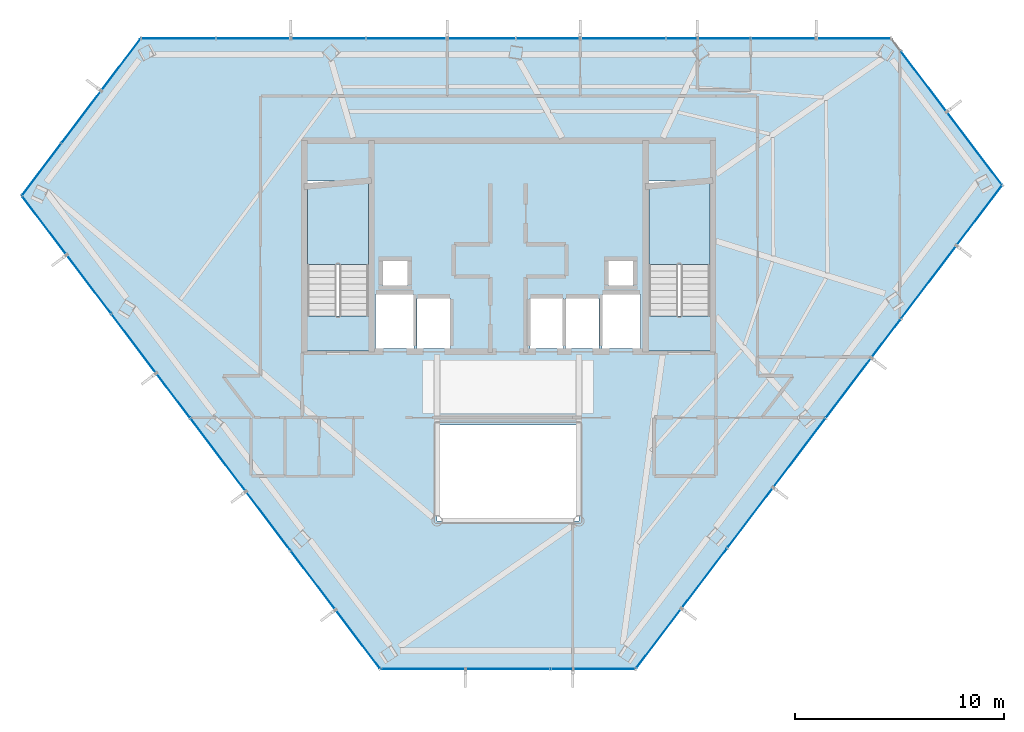
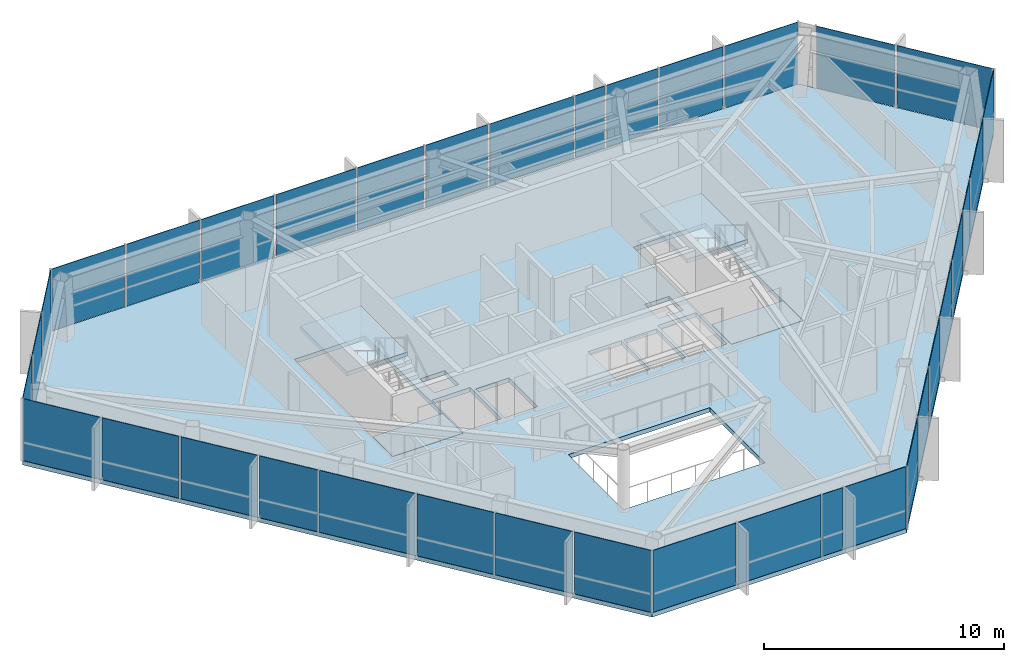
# One storey, part 23 of 27: 36 plates, 5 slabs, 8 elements without a shape of their own.
"""IFC4 building model written with IfcOpenShell, lengths in metres."""

from ifc_helpers import new_model, si_unit, direction, frame, origin, origin_2d, place, context, subcontext, project, spatial, polyline, rectangle, outline, extrude, material, layer, layer_set, type_object, element, aggregate, save


model = new_model("IFC4")

# Units and contexts
model_context = context("Model", 3, precision=1e-05, world=origin(), true_north=direction((0.0, 1.0)))
body_context = subcontext(model_context, "Body", "Model", "MODEL_VIEW")
ifc_project = project(units=[si_unit("LENGTHUNIT", "METRE"), si_unit("AREAUNIT", "SQUARE_METRE"), si_unit("VOLUMEUNIT", "CUBIC_METRE"), si_unit("PLANEANGLEUNIT", "RADIAN"), si_unit("MASSUNIT", "GRAM", prefix="KILO")], contexts=[model_context])

# Site, building, storey
site_placement = place(None, origin())
site = spatial("IfcSite", under=ifc_project, at=site_placement, CompositionType="ELEMENT")
building_placement = place(site_placement, origin())
building = spatial("IfcBuilding", under=site, at=building_placement, Name="Zarrinselat Tower", CompositionType="ELEMENT")
storey_placement = place(building_placement, frame((0.0, 0.0, 225.760009765625)))
storey = spatial("IfcBuildingStorey", under=building, at=storey_placement, Name="L56", CompositionType="ELEMENT", Elevation=225.760009765625)

# Curtain wall, plates
ifc_material_1 = material(Name="Extruded Aluminium Alloy EN AW-6063 T6", Category="aluminium")
ifc_layer_1 = layer(ifc_material_1, 0.169921875)
ifc_layer_set_1 = layer_set([ifc_layer_1], Name="Extruded Aluminium Alloy EN AW-6063 T6")
curtain_wall_type = type_object("IfcCurtainWallType", Name="CWS-RES", PredefinedType="NOTDEFINED", material=ifc_layer_set_1)
curtain_wall_1_placement = place(storey_placement, origin())
curtain_wall_1 = element("IfcCurtainWall", 1, at=curtain_wall_1_placement, inside=storey, type_object=curtain_wall_type, Name="L56 Unitised Curtain Wall CW-L56-E01", PredefinedType="NOTDEFINED")
ifc_material_2 = material(Name="Double Low-E Laminated Solar Glass", Category="glass")
ifc_layer_2 = layer(ifc_material_2, 0.028076171875)
ifc_layer_set_2 = layer_set([ifc_layer_2], Name="Double Low-E Laminated Solar Glass")
plate_type = type_object("IfcPlateType", Name="PLT-CW-GL28", PredefinedType="CURTAIN_PANEL", material=ifc_layer_set_2)
plate_1_placement = place(storey_placement, frame((54.943603515625, 48.29443359375, 0.02001953125), z_axis=(0.0, 0.0, 1.0), x_axis=(-1.0, 0.0, 0.0)))
plate_1 = element("IfcPlate", 2, at=plate_1_placement, type_object=plate_type, Name="CW-L56-E01 Vision Glass Panel 1", PredefinedType="CURTAIN_PANEL", context=body_context, shape_type="SweptSolid", body=[
    extrude(rectangle(XDim=3.491455078125, YDim=0.028076171875, at=origin_2d()), origin(), (0.0, 0.0, 1.0), 3.139892578125),
])
plate_2_placement = place(storey_placement, frame((51.581787109375, 48.29443359375, 0.02001953125), z_axis=(0.0, 0.0, 1.0), x_axis=(-1.0, 0.0, 0.0)))
plate_2 = element("IfcPlate", 3, at=plate_2_placement, type_object=plate_type, Name="CW-L56-E01 Vision Glass Panel 2", PredefinedType="CURTAIN_PANEL", context=body_context, shape_type="SweptSolid", body=[
    extrude(rectangle(XDim=3.03271484375, YDim=0.028076171875, at=origin_2d()), origin(), (0.0, 0.0, 1.0), 3.139892578125),
])
plate_3_placement = place(storey_placement, frame((48.740234375, 48.29443359375, 0.02001953125), z_axis=(0.0, 0.0, 1.0), x_axis=(-1.0, 0.0, 0.0)))
plate_3 = element("IfcPlate", 4, at=plate_3_placement, type_object=plate_type, Name="CW-L56-E01 Vision Glass Panel 3", PredefinedType="CURTAIN_PANEL", context=body_context, shape_type="SweptSolid", body=[
    extrude(rectangle(XDim=2.449951171875, YDim=0.028076171875, at=origin_2d()), origin(), (0.0, 0.0, 1.0), 3.139892578125),
])
plate_4_placement = place(storey_placement, frame((46.71533203125, 48.29443359375, 0.02001953125), z_axis=(0.0, 0.0, 1.0), x_axis=(-1.0, 0.0, 0.0)))
plate_4 = element("IfcPlate", 5, at=plate_4_placement, type_object=plate_type, Name="CW-L56-E01 Vision Glass Panel 4", PredefinedType="CURTAIN_PANEL", context=body_context, shape_type="SweptSolid", body=[
    extrude(rectangle(XDim=1.400146484375, YDim=0.028076171875, at=origin_2d()), origin(), (0.0, 0.0, 1.0), 3.139892578125),
])
plate_5_placement = place(storey_placement, frame((43.910400390625, 48.29443359375, 0.02001953125), z_axis=(0.0, 0.0, 1.0), x_axis=(-1.0, 0.0, 0.0)))
plate_5 = element("IfcPlate", 6, at=plate_5_placement, type_object=plate_type, Name="CW-L56-E01 Vision Glass Panel 5", PredefinedType="CURTAIN_PANEL", context=body_context, shape_type="SweptSolid", body=[
    extrude(rectangle(XDim=4.010009765625, YDim=0.028076171875, at=origin_2d()), origin(), (0.0, 0.0, 1.0), 3.139892578125),
])
plate_6_placement = place(storey_placement, frame((40.31884765625, 48.29443359375, 0.02001953125), z_axis=(0.0, 0.0, 1.0), x_axis=(-1.0, 0.0, 0.0)))
plate_6 = element("IfcPlate", 7, at=plate_6_placement, type_object=plate_type, Name="CW-L56-E01 Vision Glass Panel 6", PredefinedType="CURTAIN_PANEL", context=body_context, shape_type="SweptSolid", body=[
    extrude(rectangle(XDim=2.972900390625, YDim=0.028076171875, at=origin_2d()), origin(), (0.0, 0.0, 1.0), 3.139892578125),
])
plate_7_placement = place(storey_placement, frame((37.14111328125, 48.29443359375, 0.02001953125), z_axis=(0.0, 0.0, 1.0), x_axis=(-1.0, 0.0, 0.0)))
plate_7 = element("IfcPlate", 8, at=plate_7_placement, type_object=plate_type, Name="CW-L56-E01 Vision Glass Panel 7", PredefinedType="CURTAIN_PANEL", context=body_context, shape_type="SweptSolid", body=[
    extrude(rectangle(XDim=3.1826171875, YDim=0.028076171875, at=origin_2d()), origin(), (0.0, 0.0, 1.0), 3.139892578125),
])
plate_8_placement = place(storey_placement, frame((33.5498046875, 48.29443359375, 0.02001953125), z_axis=(0.0, 0.0, 1.0), x_axis=(-1.0, 0.0, 0.0)))
plate_8 = element("IfcPlate", 9, at=plate_8_placement, type_object=plate_type, Name="CW-L56-E01 Vision Glass Panel 8", PredefinedType="CURTAIN_PANEL", context=body_context, shape_type="SweptSolid", body=[
    extrude(rectangle(XDim=3.80029296875, YDim=0.028076171875, at=origin_2d()), origin(), (0.0, 0.0, 1.0), 3.139892578125),
])
plate_9_placement = place(storey_placement, frame((29.803955078125, 48.29443359375, 0.02001953125), z_axis=(0.0, 0.0, 1.0), x_axis=(-1.0, 0.0, 0.0)))
plate_9 = element("IfcPlate", 10, at=plate_9_placement, type_object=plate_type, Name="CW-L56-E01 Vision Glass Panel 9", PredefinedType="CURTAIN_PANEL", context=body_context, shape_type="SweptSolid", body=[
    extrude(rectangle(XDim=3.491455078125, YDim=0.028076171875, at=origin_2d()), origin(), (0.0, 0.0, 1.0), 3.139892578125),
])
plate_10_placement = place(storey_placement, frame((26.212646484375, 48.29443359375, 0.02001953125), z_axis=(0.0, 0.0, 1.0), x_axis=(-1.0, 0.0, 0.0)))
plate_10 = element("IfcPlate", 11, at=plate_10_placement, type_object=plate_type, Name="CW-L56-E01 Vision Glass Panel 10", PredefinedType="CURTAIN_PANEL", context=body_context, shape_type="SweptSolid", body=[
    extrude(rectangle(XDim=3.491455078125, YDim=0.028076171875, at=origin_2d()), origin(), (0.0, 0.0, 1.0), 3.139892578125),
])
plate_11_placement = place(storey_placement, frame((22.62109375, 48.29443359375, 0.02001953125), z_axis=(0.0, 0.0, 1.0), x_axis=(-1.0, 0.0, 0.0)))
plate_11 = element("IfcPlate", 12, at=plate_11_placement, type_object=plate_type, Name="CW-L56-E01 Vision Glass Panel 11", PredefinedType="CURTAIN_PANEL", context=body_context, shape_type="SweptSolid", body=[
    extrude(rectangle(XDim=3.491455078125, YDim=0.028076171875, at=origin_2d()), origin(), (0.0, 0.0, 1.0), 3.139892578125),
])
aggregate(curtain_wall_1, [plate_1, plate_2, plate_3, plate_4, plate_5, plate_6, plate_7, plate_8, plate_9, plate_10, plate_11])

curtain_wall_2_placement = place(storey_placement, origin())
curtain_wall_2 = element("IfcCurtainWall", 13, at=curtain_wall_2_placement, inside=storey, type_object=curtain_wall_type, Name="L56 Unitised Curtain Wall CW-L56-E02", PredefinedType="NOTDEFINED")
plate_12_placement = place(storey_placement, frame((19.875732421875, 47.040771484375, 0.02001953125), z_axis=(0.0, 0.0, 1.0), x_axis=(-0.603865236347, -0.79708642965, 0.0)))
plate_12 = element("IfcPlate", 14, at=plate_12_placement, type_object=plate_type, Name="CW-L56-E02 Vision Glass Panel 1", PredefinedType="CURTAIN_PANEL", context=body_context, shape_type="SweptSolid", body=[
    extrude(rectangle(XDim=3.0458984375, YDim=0.028076171875, at=origin_2d()), origin(), (0.0, 0.0, 1.0), 3.139892578125),
])
plate_13_placement = place(storey_placement, frame((17.97607421875, 44.533203125, 0.02001953125), z_axis=(0.0, 0.0, 1.0), x_axis=(-0.603865236347, -0.79708642965, 0.0)))
plate_13 = element("IfcPlate", 15, at=plate_13_placement, type_object=plate_type, Name="CW-L56-E02 Vision Glass Panel 2", PredefinedType="CURTAIN_PANEL", context=body_context, shape_type="SweptSolid", body=[
    extrude(rectangle(XDim=3.0458984375, YDim=0.028076171875, at=origin_2d()), origin(), (0.0, 0.0, 1.0), 3.139892578125),
])
plate_14_placement = place(storey_placement, frame((16.076416015625, 42.025634765625, 0.02001953125), z_axis=(0.0, 0.0, 1.0), x_axis=(-0.603865236347, -0.79708642965, 0.0)))
plate_14 = element("IfcPlate", 16, at=plate_14_placement, type_object=plate_type, Name="CW-L56-E02 Vision Glass Panel 3", PredefinedType="CURTAIN_PANEL", context=body_context, shape_type="SweptSolid", body=[
    extrude(rectangle(XDim=3.0458984375, YDim=0.028076171875, at=origin_2d()), origin(), (0.0, 0.0, 1.0), 3.139892578125),
])
aggregate(curtain_wall_2, [plate_12, plate_13, plate_14])

curtain_wall_3_placement = place(storey_placement, origin())
curtain_wall_3 = element("IfcCurtainWall", 17, at=curtain_wall_3_placement, inside=storey, type_object=curtain_wall_type, Name="L56 Unitised Curtain Wall CW-L56-E03", PredefinedType="NOTDEFINED")
plate_15_placement = place(storey_placement, frame((16.19921875, 39.35595703125, 0.02001953125), z_axis=(0.0, 0.0, 1.0), x_axis=(0.603859787908, -0.797090557307, 0.0)))
plate_15 = element("IfcPlate", 18, at=plate_15_placement, type_object=plate_type, Name="CW-L56-E03 Vision Glass Panel 1", PredefinedType="CURTAIN_PANEL", context=body_context, shape_type="SweptSolid", body=[
    extrude(rectangle(XDim=3.452880859375, YDim=0.028076171875, at=origin_2d()), origin(), (0.0, 0.0, 1.0), 3.139892578125),
])
plate_16_placement = place(storey_placement, frame((18.3447265625, 36.524169921875, 0.02001953125), z_axis=(0.0, 0.0, 1.0), x_axis=(0.603859787908, -0.797090557307, 0.0)))
plate_16 = element("IfcPlate", 19, at=plate_16_placement, type_object=plate_type, Name="CW-L56-E03 Vision Glass Panel 2", PredefinedType="CURTAIN_PANEL", context=body_context, shape_type="SweptSolid", body=[
    extrude(rectangle(XDim=3.452880859375, YDim=0.028076171875, at=origin_2d()), origin(), (0.0, 0.0, 1.0), 3.139892578125),
])
plate_17_placement = place(storey_placement, frame((20.489990234375, 33.692138671875, 0.02001953125), z_axis=(0.0, 0.0, 1.0), x_axis=(0.603859787908, -0.797090557307, 0.0)))
plate_17 = element("IfcPlate", 20, at=plate_17_placement, type_object=plate_type, Name="CW-L56-E03 Vision Glass Panel 3", PredefinedType="CURTAIN_PANEL", context=body_context, shape_type="SweptSolid", body=[
    extrude(rectangle(XDim=3.452880859375, YDim=0.028076171875, at=origin_2d()), origin(), (0.0, 0.0, 1.0), 3.139892578125),
])
plate_18_placement = place(storey_placement, frame((22.3818359375, 31.195068359375, 0.02001953125), z_axis=(0.0, 0.0, 1.0), x_axis=(0.603859787908, -0.797090557307, 0.0)))
plate_18 = element("IfcPlate", 21, at=plate_18_placement, type_object=plate_type, Name="CW-L56-E03 Vision Glass Panel 4", PredefinedType="CURTAIN_PANEL", context=body_context, shape_type="SweptSolid", body=[
    extrude(rectangle(XDim=2.613037109375, YDim=0.028076171875, at=origin_2d()), origin(), (0.0, 0.0, 1.0), 3.139892578125),
])
plate_19_placement = place(storey_placement, frame((24.52734375, 28.363037109375, 0.02001953125), z_axis=(0.0, 0.0, 1.0), x_axis=(0.603859787908, -0.797090557307, 0.0)))
plate_19 = element("IfcPlate", 22, at=plate_19_placement, type_object=plate_type, Name="CW-L56-E03 Vision Glass Panel 5", PredefinedType="CURTAIN_PANEL", context=body_context, shape_type="SweptSolid", body=[
    extrude(rectangle(XDim=4.29248046875, YDim=0.028076171875, at=origin_2d()), origin(), (0.0, 0.0, 1.0), 3.139892578125),
])
plate_20_placement = place(storey_placement, frame((26.92626953125, 25.196533203125, 0.02001953125), z_axis=(0.0, 0.0, 1.0), x_axis=(0.603859787908, -0.797090557307, 0.0)))
plate_20 = element("IfcPlate", 23, at=plate_20_placement, type_object=plate_type, Name="CW-L56-E03 Vision Glass Panel 6", PredefinedType="CURTAIN_PANEL", context=body_context, shape_type="SweptSolid", body=[
    extrude(rectangle(XDim=3.452880859375, YDim=0.028076171875, at=origin_2d()), origin(), (0.0, 0.0, 1.0), 3.139892578125),
])
plate_21_placement = place(storey_placement, frame((29.07177734375, 22.364501953125, 0.02001953125), z_axis=(0.0, 0.0, 1.0), x_axis=(0.603859787908, -0.797090557307, 0.0)))
plate_21 = element("IfcPlate", 24, at=plate_21_placement, type_object=plate_type, Name="CW-L56-E03 Vision Glass Panel 7", PredefinedType="CURTAIN_PANEL", context=body_context, shape_type="SweptSolid", body=[
    extrude(rectangle(XDim=3.452880859375, YDim=0.028076171875, at=origin_2d()), origin(), (0.0, 0.0, 1.0), 3.139892578125),
])
plate_22_placement = place(storey_placement, frame((31.217041015625, 19.53271484375, 0.02001953125), z_axis=(0.0, 0.0, 1.0), x_axis=(0.603859787908, -0.797090557307, 0.0)))
plate_22 = element("IfcPlate", 25, at=plate_22_placement, type_object=plate_type, Name="CW-L56-E03 Vision Glass Panel 8", PredefinedType="CURTAIN_PANEL", context=body_context, shape_type="SweptSolid", body=[
    extrude(rectangle(XDim=3.452880859375, YDim=0.028076171875, at=origin_2d()), origin(), (0.0, 0.0, 1.0), 3.139892578125),
])
aggregate(curtain_wall_3, [plate_15, plate_16, plate_17, plate_18, plate_19, plate_20, plate_21, plate_22])

curtain_wall_4_placement = place(storey_placement, origin())
curtain_wall_4 = element("IfcCurtainWall", 26, at=curtain_wall_4_placement, inside=storey, type_object=curtain_wall_type, Name="L56 Unitised Curtain Wall CW-L56-E04", PredefinedType="NOTDEFINED")
plate_23_placement = place(storey_placement, frame((34.326416015625, 18.11669921875, 0.02001953125), z_axis=(0.0, 0.0, 1.0), x_axis=(1.0, 0.0, 0.0)))
plate_23 = element("IfcPlate", 27, at=plate_23_placement, type_object=plate_type, Name="CW-L56-E04 Vision Glass Panel 1", PredefinedType="CURTAIN_PANEL", context=body_context, shape_type="SweptSolid", body=[
    extrude(rectangle(XDim=3.973388671875, YDim=0.028076171875, at=origin_2d()), origin(), (0.0, 0.0, 1.0), 3.139892578125),
])
plate_24_placement = place(storey_placement, frame((38.39990234375, 18.11669921875, 0.02001953125), z_axis=(0.0, 0.0, 1.0), x_axis=(1.0, 0.0, 0.0)))
plate_24 = element("IfcPlate", 28, at=plate_24_placement, type_object=plate_type, Name="CW-L56-E04 Vision Glass Panel 2", PredefinedType="CURTAIN_PANEL", context=body_context, shape_type="SweptSolid", body=[
    extrude(rectangle(XDim=3.973388671875, YDim=0.028076171875, at=origin_2d()), origin(), (0.0, 0.0, 1.0), 3.139892578125),
])
plate_25_placement = place(storey_placement, frame((40.968505859375, 18.11669921875, 0.02001953125), z_axis=(0.0, 0.0, 1.0), x_axis=(1.0, 0.0, 0.0)))
plate_25 = element("IfcPlate", 29, at=plate_25_placement, type_object=plate_type, Name="CW-L56-E04 Vision Glass Panel 3", PredefinedType="CURTAIN_PANEL", context=body_context, shape_type="SweptSolid", body=[
    extrude(rectangle(XDim=0.96337890625, YDim=0.028076171875, at=origin_2d()), origin(), (0.0, 0.0, 1.0), 3.139892578125),
])
plate_26_placement = place(storey_placement, frame((43.005126953125, 18.11669921875, 0.02001953125), z_axis=(0.0, 0.0, 1.0), x_axis=(1.0, 0.0, 0.0)))
plate_26 = element("IfcPlate", 30, at=plate_26_placement, type_object=plate_type, Name="CW-L56-E04 Vision Glass Panel 4", PredefinedType="CURTAIN_PANEL", context=body_context, shape_type="SweptSolid", body=[
    extrude(rectangle(XDim=2.91015625, YDim=0.028076171875, at=origin_2d()), origin(), (0.0, 0.0, 1.0), 3.139892578125),
])
aggregate(curtain_wall_4, [plate_23, plate_24, plate_25, plate_26])

curtain_wall_5_placement = place(storey_placement, origin())
curtain_wall_5 = element("IfcCurtainWall", 31, at=curtain_wall_5_placement, inside=storey, type_object=curtain_wall_type, Name="L56 Unitised Curtain Wall CW-L56-E05", PredefinedType="NOTDEFINED")
plate_27_placement = place(storey_placement, frame((45.606689453125, 19.564208984375, 0.02001953125), z_axis=(0.0, 0.0, 1.0), x_axis=(0.603859212041, 0.797090993572, 0.0)))
plate_27 = element("IfcPlate", 32, at=plate_27_placement, type_object=plate_type, Name="CW-L56-E05 Vision Glass Panel 1", PredefinedType="CURTAIN_PANEL", context=body_context, shape_type="SweptSolid", body=[
    extrude(rectangle(XDim=3.531982421875, YDim=0.028076171875, at=origin_2d()), origin(), (0.0, 0.0, 1.0), 3.139892578125),
])
plate_28_placement = place(storey_placement, frame((47.800048828125, 22.459228515625, 0.02001953125), z_axis=(0.0, 0.0, 1.0), x_axis=(0.603859212041, 0.797090993572, 0.0)))
plate_28 = element("IfcPlate", 33, at=plate_28_placement, type_object=plate_type, Name="CW-L56-E05 Vision Glass Panel 2", PredefinedType="CURTAIN_PANEL", context=body_context, shape_type="SweptSolid", body=[
    extrude(rectangle(XDim=3.531982421875, YDim=0.028076171875, at=origin_2d()), origin(), (0.0, 0.0, 1.0), 3.139892578125),
])
plate_29_placement = place(storey_placement, frame((49.9931640625, 25.354248046875, 0.02001953125), z_axis=(0.0, 0.0, 1.0), x_axis=(0.603859212041, 0.797090993572, 0.0)))
plate_29 = element("IfcPlate", 34, at=plate_29_placement, type_object=plate_type, Name="CW-L56-E05 Vision Glass Panel 3", PredefinedType="CURTAIN_PANEL", context=body_context, shape_type="SweptSolid", body=[
    extrude(rectangle(XDim=3.531982421875, YDim=0.028076171875, at=origin_2d()), origin(), (0.0, 0.0, 1.0), 3.139892578125),
])
plate_30_placement = place(storey_placement, frame((52.344482421875, 28.457763671875, 0.02001953125), z_axis=(0.0, 0.0, 1.0), x_axis=(0.603859212041, 0.797090993572, 0.0)))
plate_30 = element("IfcPlate", 35, at=plate_30_placement, type_object=plate_type, Name="CW-L56-E05 Vision Glass Panel 4", PredefinedType="CURTAIN_PANEL", context=body_context, shape_type="SweptSolid", body=[
    extrude(rectangle(XDim=4.05517578125, YDim=0.028076171875, at=origin_2d()), origin(), (0.0, 0.0, 1.0), 3.139892578125),
])
plate_31_placement = place(storey_placement, frame((54.695068359375, 31.560546875, 0.02001953125), z_axis=(0.0, 0.0, 1.0), x_axis=(0.603859212041, 0.797090993572, 0.0)))
plate_31 = element("IfcPlate", 36, at=plate_31_placement, type_object=plate_type, Name="CW-L56-E05 Vision Glass Panel 5", PredefinedType="CURTAIN_PANEL", context=body_context, shape_type="SweptSolid", body=[
    extrude(rectangle(XDim=3.530029296875, YDim=0.028076171875, at=origin_2d()), origin(), (0.0, 0.0, 1.0), 3.139892578125),
])
plate_32_placement = place(storey_placement, frame((56.49462890625, 33.93603515625, 0.02001953125), z_axis=(0.0, 0.0, 1.0), x_axis=(0.603859212041, 0.797090993572, 0.0)))
plate_32 = element("IfcPlate", 37, at=plate_32_placement, type_object=plate_type, Name="CW-L56-E05 Vision Glass Panel 6", PredefinedType="CURTAIN_PANEL", context=body_context, shape_type="SweptSolid", body=[
    extrude(rectangle(XDim=2.230712890625, YDim=0.028076171875, at=origin_2d()), origin(), (0.0, 0.0, 1.0), 3.139892578125),
])
plate_33_placement = place(storey_placement, frame((58.530517578125, 36.623291015625, 0.02001953125), z_axis=(0.0, 0.0, 1.0), x_axis=(0.603859212041, 0.797090993572, 0.0)))
plate_33 = element("IfcPlate", 38, at=plate_33_placement, type_object=plate_type, Name="CW-L56-E05 Vision Glass Panel 7", PredefinedType="CURTAIN_PANEL", context=body_context, shape_type="SweptSolid", body=[
    extrude(rectangle(XDim=4.31201171875, YDim=0.028076171875, at=origin_2d()), origin(), (0.0, 0.0, 1.0), 3.139892578125),
])
plate_34_placement = place(storey_placement, frame((60.959228515625, 39.829345703125, 0.02001953125), z_axis=(0.0, 0.0, 1.0), x_axis=(0.603859212041, 0.797090993572, 0.0)))
plate_34 = element("IfcPlate", 39, at=plate_34_placement, type_object=plate_type, Name="CW-L56-E05 Vision Glass Panel 8", PredefinedType="CURTAIN_PANEL", context=body_context, shape_type="SweptSolid", body=[
    extrude(rectangle(XDim=3.531982421875, YDim=0.028076171875, at=origin_2d()), origin(), (0.0, 0.0, 1.0), 3.139892578125),
])
aggregate(curtain_wall_5, [plate_27, plate_28, plate_29, plate_30, plate_31, plate_32, plate_33, plate_34])

curtain_wall_6_placement = place(storey_placement, origin())
curtain_wall_6 = element("IfcCurtainWall", 40, at=curtain_wall_6_placement, inside=storey, type_object=curtain_wall_type, Name="L56 Unitised Curtain Wall CW-L56-E06", PredefinedType="NOTDEFINED")
plate_35_placement = place(storey_placement, frame((60.726806640625, 43.03125, 0.02001953125), z_axis=(0.0, 0.0, 1.0), x_axis=(-0.603860312232, 0.797090160089, 0.0)))
plate_35 = element("IfcPlate", 41, at=plate_35_placement, type_object=plate_type, Name="CW-L56-E06 Vision Glass Panel 1", PredefinedType="CURTAIN_PANEL", context=body_context, shape_type="SweptSolid", body=[
    extrude(rectangle(XDim=4.302001953125, YDim=0.028076171875, at=origin_2d()), origin(), (0.0, 0.0, 1.0), 3.139892578125),
])
plate_36_placement = place(storey_placement, frame((58.298095703125, 46.237060546875, 0.02001953125), z_axis=(0.0, 0.0, 1.0), x_axis=(-0.603860312232, 0.797090160089, 0.0)))
plate_36 = element("IfcPlate", 42, at=plate_36_placement, type_object=plate_type, Name="CW-L56-E06 Vision Glass Panel 2", PredefinedType="CURTAIN_PANEL", context=body_context, shape_type="SweptSolid", body=[
    extrude(rectangle(XDim=3.5419921875, YDim=0.028076171875, at=origin_2d()), origin(), (0.0, 0.0, 1.0), 3.139892578125),
])
aggregate(curtain_wall_6, [plate_35, plate_36])

# Slabs
ifc_material_3 = material(Name="Concrete C40/50", Category="concrete")
ifc_layer_3 = layer(ifc_material_3, 0.219970703125)
ifc_layer_set_3 = layer_set([ifc_layer_3], Name="Concrete C40/50")
slab_type_1 = type_object("IfcSlabType", Name="SLB-FLOOR-220-SL-RS220", PredefinedType="FLOOR", material=ifc_layer_set_3)
slab_1_placement = place(storey_placement, frame((0.0, 0.0, -0.219970703125)))
element("IfcSlab", 43, at=slab_1_placement, inside=storey, type_object=slab_type_1, Name="L56 Primary Structural Slab", PredefinedType="FLOOR", context=body_context, shape_type="SweptSolid", body=[
    extrude(outline(polyline([(56.739501953125, 48.29443359375), (20.825439453125, 48.29443359375), (15.126708984375, 40.77197265625), (32.289794921875, 18.11669921875), (44.51025390625, 18.11669921875), (62.055908203125, 41.27685546875), (56.739501953125, 48.29443359375)]), holes=[polyline([(41.800048828125, 25.199951171875), (35.0, 25.199951171875), (35.0, 29.800048828125), (41.800048828125, 29.800048828125), (41.800048828125, 25.199951171875)]), polyline([(35.64990234375, 33.449951171875), (34.050048828125, 33.449951171875), (34.050048828125, 35.85009765625), (35.64990234375, 35.85009765625), (35.64990234375, 33.449951171875)]), polyline([(41.050048828125, 33.449951171875), (39.449951171875, 33.449951171875), (39.449951171875, 35.85009765625), (41.050048828125, 35.85009765625), (41.050048828125, 33.449951171875)]), polyline([(41.14990234375, 33.449951171875), (41.14990234375, 35.85009765625), (42.75, 35.85009765625), (42.75, 33.449951171875), (41.14990234375, 33.449951171875)]), polyline([(32.06005859375, 33.449951171875), (32.06005859375, 36.050048828125), (33.89990234375, 36.050048828125), (33.89990234375, 33.449951171875), (32.06005859375, 33.449951171875)]), polyline([(44.739990234375, 33.449951171875), (42.89990234375, 33.449951171875), (42.89990234375, 36.050048828125), (44.739990234375, 36.050048828125), (44.739990234375, 33.449951171875)]), polyline([(33.60009765625, 36.47998046875), (32.419921875, 36.47998046875), (32.419921875, 37.639892578125), (33.60009765625, 37.639892578125), (33.60009765625, 36.47998046875)]), polyline([(44.3798828125, 36.47998046875), (43.199951171875, 36.47998046875), (43.199951171875, 37.639892578125), (44.3798828125, 37.639892578125), (44.3798828125, 36.47998046875)]), polyline([(31.985107421875, 33.324951171875), (28.60498046875, 33.324951171875), (28.60498046875, 41.47509765625), (31.985107421875, 41.47509765625), (31.985107421875, 33.324951171875)]), polyline([(48.324951171875, 33.324951171875), (44.875, 33.324951171875), (44.875, 41.47509765625), (48.324951171875, 41.47509765625), (48.324951171875, 33.324951171875)])]), origin(), (0.0, 0.0, 1.0), 0.219970703125),
])
slab_2_placement = place(storey_placement, frame((0.0, 0.0, -0.219970703125)))
element("IfcSlab", 44, at=slab_2_placement, inside=storey, type_object=slab_type_1, Name="L56 Stair ST-1-FL1 Structural Floor Landing", PredefinedType="FLOOR", context=body_context, shape_type="SweptSolid", body=[
    extrude(outline(polyline([(31.97998046875, 33.330078125), (31.97998046875, 35.0), (28.610107421875, 35.0), (28.610107421875, 33.330078125), (31.97998046875, 33.330078125)])), origin(), (0.0, 0.0, 1.0), 0.219970703125),
])
slab_3_placement = place(storey_placement, frame((0.0, 0.0, -0.219970703125)))
element("IfcSlab", 45, at=slab_3_placement, inside=storey, type_object=slab_type_1, Name="L56 Stair ST-2-FL1 Structural Floor Landing", PredefinedType="FLOOR", context=body_context, shape_type="SweptSolid", body=[
    extrude(outline(polyline([(48.320068359375, 33.330078125), (48.320068359375, 35.0), (44.8798828125, 35.0), (44.8798828125, 33.330078125), (48.320068359375, 33.330078125)])), origin(), (0.0, 0.0, 1.0), 0.219970703125),
])

# Stair, slab
ifc_material_4 = material(Name="Concrete C40/50", Category="concrete")
stair_type = type_object("IfcStairType", Name="STR-CORE-155", PredefinedType="HALF_TURN_STAIR", material=ifc_material_4)
stair_1_placement = place(storey_placement, origin())
stair_1 = element("IfcStair", 46, at=stair_1_placement, inside=storey, type_object=stair_type, Name="L56 Core Exit Stair 1", PredefinedType="HALF_TURN_STAIR")
ifc_material_5 = material(Name="Concrete C40/50", Category="concrete")
ifc_layer_4 = layer(ifc_material_5, 0.18994140625)
ifc_layer_set_4 = layer_set([ifc_layer_4], Name="Concrete C40/50")
slab_type_2 = type_object("IfcSlabType", Name="SLB-LND-190", PredefinedType="LANDING", material=ifc_layer_set_4)
slab_4_placement = place(storey_placement, frame((0.0, 0.0, 1.5)))
slab_4 = element("IfcSlab", 47, at=slab_4_placement, type_object=slab_type_2, Name="ST-1 landing 1", PredefinedType="LANDING", context=body_context, shape_type="SweptSolid", body=[
    extrude(outline(polyline([(31.719970703125, 37.47998046875), (31.719970703125, 41.35009765625), (28.800048828125, 41.35009765625), (28.800048828125, 37.47998046875), (31.719970703125, 37.47998046875)])), origin(), (0.0, 0.0, 1.0), 0.199951171875),
])
aggregate(stair_1, [slab_4])

stair_2_placement = place(storey_placement, origin())
stair_2 = element("IfcStair", 48, at=stair_2_placement, inside=storey, type_object=stair_type, Name="L56 Core Exit Stair 2", PredefinedType="HALF_TURN_STAIR")
slab_5_placement = place(storey_placement, frame((0.0, 0.0, 1.5)))
slab_5 = element("IfcSlab", 49, at=slab_5_placement, type_object=slab_type_2, Name="ST-2 landing 1", PredefinedType="LANDING", context=body_context, shape_type="SweptSolid", body=[
    extrude(outline(polyline([(48.06005859375, 37.47998046875), (48.06005859375, 41.35009765625), (45.139892578125, 41.35009765625), (45.139892578125, 37.47998046875), (48.06005859375, 37.47998046875)])), origin(), (0.0, 0.0, 1.0), 0.199951171875),
])
aggregate(stair_2, [slab_5])

save(model, "model.ifc")
